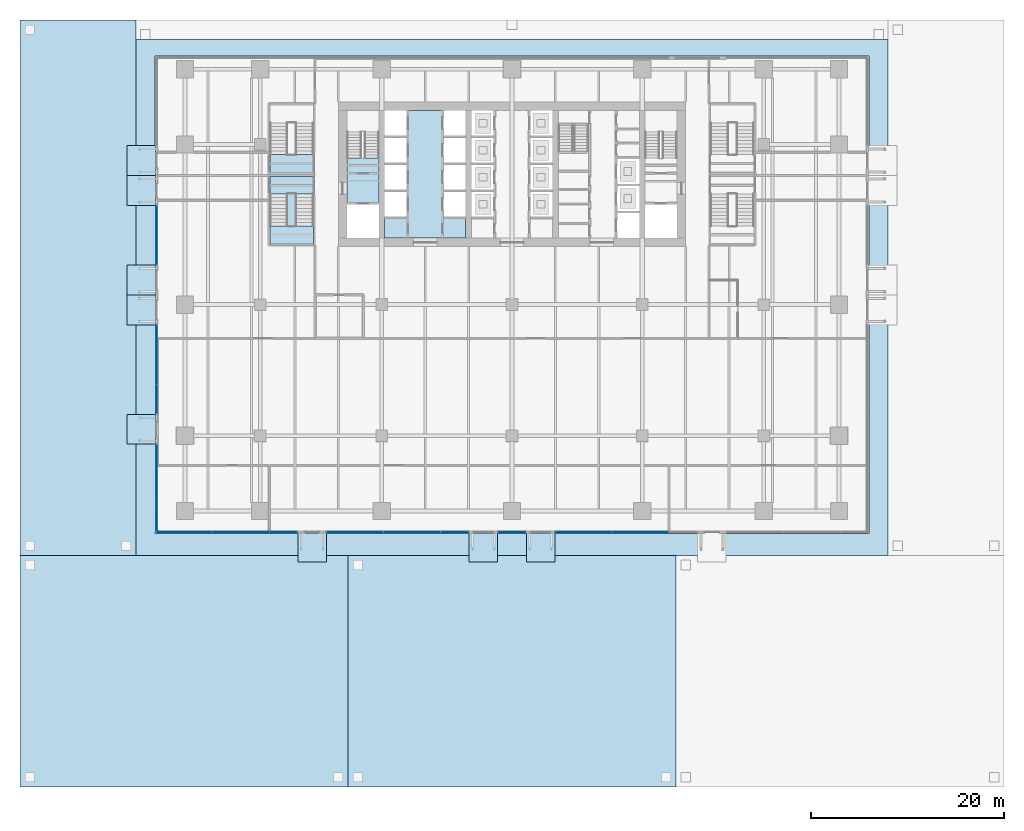
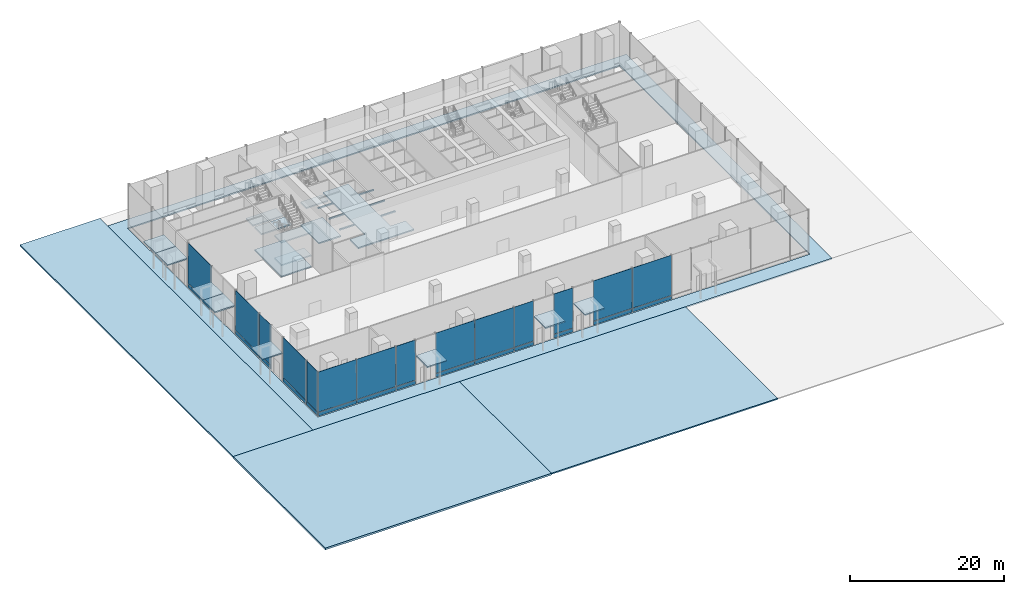
# One storey, part 26 of 41: 28 plates, 20 slabs, 10 elements without a shape of their own.
"""IFC4 building model written with IfcOpenShell, lengths in metres."""

from ifc_helpers import new_model, si_unit, direction, frame, origin, origin_2d, place, context, subcontext, project, spatial, polyline, rectangle, outline, extrude, material, layer, layer_set, type_object, element, aggregate, save


model = new_model("IFC4")

# Units and contexts
model_context = context("Model", 3, precision=1e-05, world=origin(), true_north=direction((0.0, 1.0)))
body_context = subcontext(model_context, "Body", "Model", "MODEL_VIEW")
ifc_project = project(units=[si_unit("LENGTHUNIT", "METRE"), si_unit("AREAUNIT", "SQUARE_METRE"), si_unit("VOLUMEUNIT", "CUBIC_METRE"), si_unit("PLANEANGLEUNIT", "RADIAN"), si_unit("MASSUNIT", "GRAM", prefix="KILO")], contexts=[model_context])

# Site, building, storey
site_placement = place(None, origin())
site = spatial("IfcSite", under=ifc_project, at=site_placement, CompositionType="ELEMENT")
building_placement = place(site_placement, origin())
building = spatial("IfcBuilding", under=site, at=building_placement, Name="Rattan Terrace Tower", CompositionType="ELEMENT")
storey_placement = place(building_placement, origin())
storey = spatial("IfcBuildingStorey", under=building, at=storey_placement, Name="L00", CompositionType="ELEMENT", Elevation=0.0)

# Stair, slab
ifc_material_1 = material(Name="Concrete C40/50", Category="concrete")
stair_type_1 = type_object("IfcStairType", Name="Core exit stair 1500", PredefinedType="HALF_TURN_STAIR", material=ifc_material_1)
stair_1_placement = place(storey_placement, origin())
stair_1 = element("IfcStair", 1, at=stair_1_placement, inside=storey, type_object=stair_type_1, Name="L00 exit stair 1", PredefinedType="HALF_TURN_STAIR")
ifc_material_2 = material(Name="Concrete C40/50", Category="concrete")
ifc_layer_1 = layer(ifc_material_2, 0.199951171875)
ifc_layer_set_1 = layer_set([ifc_layer_1], Name="Core exit stair landing")
slab_type_1 = type_object("IfcSlabType", Name="Core exit stair landing", PredefinedType="LANDING", material=ifc_layer_set_1)
slab_1_placement = place(storey_placement, frame((0.0, 0.0, 3.39990234375)))
slab_1 = element("IfcSlab", 2, at=slab_1_placement, type_object=slab_type_1, Name="S1 landing 2", PredefinedType="LANDING", context=body_context, shape_type="SweptSolid", body=[
    extrude(outline(polyline([(-13.800048828125, 0.199951171875), (-13.800048828125, 1.699951171875), (-17.10009765625, 1.699951171875), (-17.10009765625, 0.199951171875), (-13.800048828125, 0.199951171875)])), origin(), (0.0, 0.0, 1.0), 0.2001953125),
])
aggregate(stair_1, [slab_1])

# Stair, slabs
ifc_material_3 = material(Name="Concrete C40/50", Category="concrete")
stair_type_2 = type_object("IfcStairType", Name="Core exit stair 1850", PredefinedType="HALF_TURN_STAIR", material=ifc_material_3)
stair_2_placement = place(storey_placement, origin())
stair_2 = element("IfcStair", 3, at=stair_2_placement, inside=storey, type_object=stair_type_2, Name="L00 exit stair 4", PredefinedType="HALF_TURN_STAIR")
slab_2_placement = place(storey_placement, frame((0.0, 0.0, 1.60009765625)))
slab_2 = element("IfcSlab", 4, at=slab_2_placement, type_object=slab_type_1, Name="S4 landing 1", PredefinedType="LANDING", context=body_context, shape_type="SweptSolid", body=[
    extrude(outline(polyline([(-25.10009765625, -5.343994140625), (-25.10009765625, -7.199951171875), (-20.60009765625, -7.199951171875), (-20.60009765625, -5.343994140625), (-25.10009765625, -5.343994140625)])), origin(), (0.0, 0.0, 1.0), 0.199951171875),
])
slab_3_placement = place(storey_placement, frame((0.0, 0.0, 3.39990234375)))
slab_3 = element("IfcSlab", 5, at=slab_3_placement, type_object=slab_type_1, Name="S4 landing 2", PredefinedType="LANDING", context=body_context, shape_type="SweptSolid", body=[
    extrude(outline(polyline([(-25.10009765625, -0.199951171875), (-25.10009765625, -2.050048828125), (-20.60009765625, -2.050048828125), (-20.60009765625, -0.199951171875), (-25.10009765625, -0.199951171875)])), origin(), (0.0, 0.0, 1.0), 0.2001953125),
])
slab_4_placement = place(storey_placement, frame((0.0, 0.0, 5.199951171875)))
slab_4 = element("IfcSlab", 6, at=slab_4_placement, type_object=slab_type_1, Name="S4 landing 3", PredefinedType="LANDING", context=body_context, shape_type="SweptSolid", body=[
    extrude(outline(polyline([(-25.10009765625, -5.343994140625), (-25.10009765625, -7.199951171875), (-20.60009765625, -7.199951171875), (-20.60009765625, -5.343994140625), (-25.10009765625, -5.343994140625)])), origin(), (0.0, 0.0, 1.0), 0.199951171875),
])
aggregate(stair_2, [slab_2, slab_3, slab_4])

# Stair, slab
stair_3_placement = place(storey_placement, origin())
stair_3 = element("IfcStair", 7, at=stair_3_placement, inside=storey, type_object=stair_type_2, Name="L00 exit stair 5", PredefinedType="HALF_TURN_STAIR")
slab_5_placement = place(storey_placement, frame((0.0, 0.0, 3.39990234375)))
slab_5 = element("IfcSlab", 8, at=slab_5_placement, type_object=slab_type_1, Name="S5 landing 2", PredefinedType="LANDING", context=body_context, shape_type="SweptSolid", body=[
    extrude(outline(polyline([(-20.60009765625, 0.199951171875), (-20.60009765625, 2.050048828125), (-25.10009765625, 2.050048828125), (-25.10009765625, 0.199951171875), (-20.60009765625, 0.199951171875)])), origin(), (0.0, 0.0, 1.0), 0.2001953125),
])
aggregate(stair_3, [slab_5])

# Slabs
ifc_material_4 = material(Name="Concrete paving C32/40 on granular sub-base", Category="concrete")
ifc_layer_2 = layer(ifc_material_4, 0.300048828125)
ifc_layer_set_2 = layer_set([ifc_layer_2], Name="Drop-off Carriageway Paving")
slab_type_2 = type_object("IfcSlabType", Name="Drop-off Carriageway Paving", PredefinedType="USERDEFINED", material=ifc_layer_set_2)
slab_6_placement = place(storey_placement, frame((0.0, 0.0, -0.300048828125)))
element("IfcSlab", 9, at=slab_6_placement, inside=storey, type_object=slab_type_2, Name="Drop-off carriageway paving", ObjectType="PAVING", PredefinedType="USERDEFINED", context=body_context, shape_type="SweptSolid", body=[
    extrude(outline(polyline([(-17.0, -63.5), (-17.0, -39.5), (-51.0, -39.5), (-51.0, -63.5), (-17.0, -63.5)])), origin(), (0.0, 0.0, 1.0), 0.300048828125),
])
ifc_material_5 = material(Name="Steel S355 and glass canopy", Category="steel")
ifc_layer_3 = layer(ifc_material_5, 0.199951171875)
ifc_layer_set_3 = layer_set([ifc_layer_3], Name="Facade Entrance Canopy")
slab_type_3 = type_object("IfcSlabType", Name="Facade Entrance Canopy", PredefinedType="ROOF", material=ifc_layer_set_3)
slab_7_placement = place(storey_placement, frame((0.0, 0.0, 4.39990234375)))
element("IfcSlab", 10, at=slab_7_placement, inside=storey, type_object=slab_type_3, Name="Entrance canopy 031", PredefinedType="ROOF", context=body_context, shape_type="SweptSolid", body=[
    extrude(outline(polyline([(-36.929931640625, -9.407958984375), (-36.929931640625, -12.501953125), (-39.929931640625, -12.501953125), (-39.929931640625, -9.407958984375), (-36.929931640625, -9.407958984375)])), origin(), (0.0, 0.0, 1.0), 0.2001953125),
])
slab_8_placement = place(storey_placement, frame((0.0, 0.0, 4.39990234375)))
element("IfcSlab", 11, at=slab_8_placement, inside=storey, type_object=slab_type_3, Name="Entrance canopy 036", PredefinedType="ROOF", context=body_context, shape_type="SweptSolid", body=[
    extrude(outline(polyline([(-36.929931640625, -12.501953125), (-36.929931640625, -15.595947265625), (-39.929931640625, -15.595947265625), (-39.929931640625, -12.501953125), (-36.929931640625, -12.501953125)])), origin(), (0.0, 0.0, 1.0), 0.2001953125),
])
slab_9_placement = place(storey_placement, frame((0.0, 0.0, 4.39990234375)))
element("IfcSlab", 12, at=slab_9_placement, inside=storey, type_object=slab_type_3, Name="Entrance canopy 051", PredefinedType="ROOF", context=body_context, shape_type="SweptSolid", body=[
    extrude(outline(polyline([(-4.43994140625, -37.179931640625), (-1.47998046875, -37.179931640625), (-1.47998046875, -40.179931640625), (-4.43994140625, -40.179931640625), (-4.43994140625, -37.179931640625)])), origin(), (0.0, 0.0, 1.0), 0.2001953125),
])
slab_10_placement = place(storey_placement, frame((0.0, 0.0, 4.39990234375)))
element("IfcSlab", 13, at=slab_10_placement, inside=storey, type_object=slab_type_3, Name="Entrance canopy 056", PredefinedType="ROOF", context=body_context, shape_type="SweptSolid", body=[
    extrude(outline(polyline([(1.47998046875, -37.179931640625), (4.43994140625, -37.179931640625), (4.43994140625, -40.179931640625), (1.47998046875, -40.179931640625), (1.47998046875, -37.179931640625)])), origin(), (0.0, 0.0, 1.0), 0.2001953125),
])
ifc_material_6 = material(Name="Steel S355 and glass canopy", Category="steel")
ifc_layer_4 = layer(ifc_material_6, 0.179931640625)
ifc_layer_set_4 = layer_set([ifc_layer_4], Name="Facade Exit Canopy")
slab_type_4 = type_object("IfcSlabType", Name="Facade Exit Canopy", PredefinedType="ROOF", material=ifc_layer_set_4)
slab_11_placement = place(storey_placement, frame((0.0, 0.0, 4.39990234375)))
element("IfcSlab", 14, at=slab_11_placement, inside=storey, type_object=slab_type_4, Name="Entrance canopy 021", PredefinedType="ROOF", context=body_context, shape_type="SweptSolid", body=[
    extrude(outline(polyline([(-36.929931640625, 2.968017578125), (-36.929931640625, -0.1259765625), (-39.929931640625, -0.1259765625), (-39.929931640625, 2.968017578125), (-36.929931640625, 2.968017578125)])), origin(), (0.0, 0.0, 1.0), 0.18017578125),
])
slab_12_placement = place(storey_placement, frame((0.0, 0.0, 4.39990234375)))
element("IfcSlab", 15, at=slab_12_placement, inside=storey, type_object=slab_type_4, Name="Entrance canopy 026", PredefinedType="ROOF", context=body_context, shape_type="SweptSolid", body=[
    extrude(outline(polyline([(-36.929931640625, -0.1259765625), (-36.929931640625, -3.219970703125), (-39.929931640625, -3.219970703125), (-39.929931640625, -0.1259765625), (-36.929931640625, -0.1259765625)])), origin(), (0.0, 0.0, 1.0), 0.18017578125),
])
slab_13_placement = place(storey_placement, frame((0.0, 0.0, 4.39990234375)))
element("IfcSlab", 16, at=slab_13_placement, inside=storey, type_object=slab_type_4, Name="Entrance canopy 041", PredefinedType="ROOF", context=body_context, shape_type="SweptSolid", body=[
    extrude(outline(polyline([(-36.929931640625, -24.8779296875), (-36.929931640625, -27.971923828125), (-39.929931640625, -27.971923828125), (-39.929931640625, -24.8779296875), (-36.929931640625, -24.8779296875)])), origin(), (0.0, 0.0, 1.0), 0.18017578125),
])
slab_14_placement = place(storey_placement, frame((0.0, 0.0, 4.39990234375)))
element("IfcSlab", 17, at=slab_14_placement, inside=storey, type_object=slab_type_4, Name="Entrance canopy 046", PredefinedType="ROOF", context=body_context, shape_type="SweptSolid", body=[
    extrude(outline(polyline([(-22.199951171875, -37.179931640625), (-19.239990234375, -37.179931640625), (-19.239990234375, -40.179931640625), (-22.199951171875, -40.179931640625), (-22.199951171875, -37.179931640625)])), origin(), (0.0, 0.0, 1.0), 0.18017578125),
])
ifc_material_7 = material(Name="Granite paving on concrete C30/37 bed", Category="masonry")
ifc_layer_5 = layer(ifc_material_7, 0.199951171875)
ifc_layer_set_5 = layer_set([ifc_layer_5], Name="Facade Plaza Paving")
slab_type_5 = type_object("IfcSlabType", Name="Facade Plaza Paving", PredefinedType="USERDEFINED", material=ifc_layer_set_5)
slab_15_placement = place(storey_placement, frame((0.0, 0.0, -0.199951171875)))
element("IfcSlab", 18, at=slab_15_placement, inside=storey, type_object=slab_type_5, Name="Plaza forecourt paving", ObjectType="PAVING", PredefinedType="USERDEFINED", context=body_context, shape_type="SweptSolid", body=[
    extrude(outline(polyline([(17.0, -63.5), (17.0, -39.5), (-17.0, -39.5), (-17.0, -63.5), (17.0, -63.5)])), origin(), (0.0, 0.0, 1.0), 0.199951171875),
])
ifc_material_8 = material(Name="Concrete C35/45", Category="concrete")
ifc_layer_6 = layer(ifc_material_8, 0.199951171875)
ifc_layer_set_6 = layer_set([ifc_layer_6], Name="Frame composite floor slab 200")
slab_type_6 = type_object("IfcSlabType", Name="Frame composite floor slab 200", PredefinedType="FLOOR", material=ifc_layer_set_6)
slab_16_placement = place(storey_placement, frame((0.0, 0.0, -0.199951171875)))
element("IfcSlab", 19, at=slab_16_placement, inside=storey, type_object=slab_type_6, Name="Floor slab", PredefinedType="FLOOR", context=body_context, shape_type="SweptSolid", body=[
    extrude(outline(polyline([(-20.60009765625, -0.199951171875), (-25.10009765625, -0.199951171875), (-25.10009765625, -7.199951171875), (-20.60009765625, -7.199951171875), (-20.60009765625, -0.199951171875)])), origin(), (0.0, 0.0, 1.0), 0.199951171875),
])
slab_17_placement = place(storey_placement, frame((0.0, 0.0, -0.199951171875)))
element("IfcSlab", 20, at=slab_17_placement, inside=storey, type_object=slab_type_6, Name="Floor slab", PredefinedType="FLOOR", context=body_context, shape_type="SweptSolid", body=[
    extrude(outline(polyline([(-13.199951171875, 4.0), (-13.199951171875, 3.800048828125), (-10.89990234375, 3.800048828125), (-10.89990234375, 1.199951171875), (-13.199951171875, 1.199951171875), (-13.199951171875, 1.0), (-10.89990234375, 1.0), (-10.89990234375, -1.60009765625), (-13.199951171875, -1.60009765625), (-13.199951171875, -1.800048828125), (-10.89990234375, -1.800048828125), (-10.89990234375, -4.39990234375), (-13.199951171875, -4.39990234375), (-13.199951171875, -6.60009765625), (-4.800048828125, -6.60009765625), (-4.800048828125, -4.39990234375), (-7.10009765625, -4.39990234375), (-7.10009765625, -1.800048828125), (-4.800048828125, -1.800048828125), (-4.800048828125, -1.60009765625), (-7.10009765625, -1.60009765625), (-7.10009765625, 1.0), (-4.800048828125, 1.0), (-4.800048828125, 1.199951171875), (-7.10009765625, 1.199951171875), (-7.10009765625, 3.800048828125), (-4.800048828125, 3.800048828125), (-4.800048828125, 4.0), (-7.10009765625, 4.0), (-7.10009765625, 6.60009765625), (-10.89990234375, 6.60009765625), (-10.89990234375, 4.0), (-13.199951171875, 4.0)])), origin(), (0.0, 0.0, 1.0), 0.199951171875),
])
slab_18_placement = place(storey_placement, frame((0.0, 0.0, -0.199951171875)))
element("IfcSlab", 21, at=slab_18_placement, inside=storey, type_object=slab_type_6, Name="Floor slab", PredefinedType="FLOOR", context=body_context, shape_type="SweptSolid", body=[
    extrude(outline(polyline([(-17.10009765625, -3.10009765625), (-13.800048828125, -3.10009765625), (-13.800048828125, 1.7099609375), (-17.10009765625, 1.7099609375), (-17.10009765625, -3.10009765625)])), origin(), (0.0, 0.0, 1.0), 0.199951171875),
])
ifc_material_9 = material(Name="Concrete C35/45", Category="concrete")
ifc_layer_7 = layer(ifc_material_9, 0.199951171875)
ifc_layer_set_7 = layer_set([ifc_layer_7], Name="Frame plaza deck slab 200")
slab_type_7 = type_object("IfcSlabType", Name="Frame plaza deck slab 200", PredefinedType="ROOF", material=ifc_layer_set_7)
slab_19_placement = place(storey_placement, frame((0.0, 0.0, -0.199951171875)))
element("IfcSlab", 22, at=slab_19_placement, inside=storey, type_object=slab_type_7, Name="Plaza deck slab", PredefinedType="ROOF", context=body_context, shape_type="SweptSolid", body=[
    extrude(outline(polyline([(-39.0, -39.5), (39.0, -39.5), (39.0, 14.0), (-39.0, 14.0), (-39.0, -39.5)]), holes=[polyline([(37.0, 12.25), (-37.0, 12.25), (-37.0, -37.25), (37.0, -37.25), (37.0, 12.25)])]), origin(), (0.0, 0.0, 1.0), 0.199951171875),
])
ifc_material_10 = material(Name="Granite setts on concrete C30/37 bed", Category="masonry")
ifc_layer_8 = layer(ifc_material_10, 0.239990234375)
ifc_layer_set_8 = layer_set([ifc_layer_8], Name="Station Entrance Setts")
slab_type_8 = type_object("IfcSlabType", Name="Station Entrance Setts", PredefinedType="USERDEFINED", material=ifc_layer_set_8)
slab_20_placement = place(storey_placement, frame((0.0, 0.0, -0.239990234375)))
element("IfcSlab", 23, at=slab_20_placement, inside=storey, type_object=slab_type_8, Name="Station entrance setts, west", ObjectType="PAVING", PredefinedType="USERDEFINED", context=body_context, shape_type="SweptSolid", body=[
    extrude(outline(polyline([(-39.0, -39.5), (-39.0, 16.0), (-51.0, 16.0), (-51.0, -39.5), (-39.0, -39.5)])), origin(), (0.0, 0.0, 1.0), 0.239990234375),
])

# Curtain wall, plate
ifc_material_11 = material(Name="Aluminium and glass", Category="aluminium")
ifc_layer_9 = layer(ifc_material_11, 0.1201171875)
ifc_layer_set_9 = layer_set([ifc_layer_9], Name="Station Storefront Curtain Wall")
curtain_wall_type = type_object("IfcCurtainWallType", Name="Station Storefront Curtain Wall", PredefinedType="NOTDEFINED", material=ifc_layer_set_9)
curtain_wall_1_placement = place(storey_placement, origin())
curtain_wall_1 = element("IfcCurtainWall", 24, at=curtain_wall_1_placement, inside=storey, type_object=curtain_wall_type, Name="Storefront curtain wall L00-7", PredefinedType="NOTDEFINED")
ifc_material_12 = material(Name="Granite bulkhead panel", Category="masonry")
ifc_layer_10 = layer(ifc_material_12, 0.110107421875)
ifc_layer_set_10 = layer_set([ifc_layer_10], Name="Storefront CW Stone Bulkhead Panel")
plate_type_1 = type_object("IfcPlateType", Name="Storefront CW Stone Bulkhead Panel", PredefinedType="CURTAIN_PANEL", material=ifc_layer_set_10)
plate_1_placement = place(storey_placement, frame((-36.830078125, -6.31396484375, 0.0), z_axis=(0.0, 0.0, 1.0), x_axis=(0.0, -1.0, 0.0)))
plate_1 = element("IfcPlate", 25, at=plate_1_placement, type_object=plate_type_1, Name="Panel cwl-L00-007.1.1", PredefinedType="CURTAIN_PANEL", context=body_context, shape_type="SweptSolid", body=[
    extrude(rectangle(XDim=6.087890625, YDim=0.110107421875, at=origin_2d()), origin(), (0.0, 0.0, 1.0), 0.574951171875),
])

# Curtain wall, plates
curtain_wall_2_placement = place(storey_placement, origin())
curtain_wall_2 = element("IfcCurtainWall", 26, at=curtain_wall_2_placement, inside=storey, type_object=curtain_wall_type, Name="Storefront curtain wall L00-8", PredefinedType="NOTDEFINED")
plate_2_placement = place(storey_placement, frame((-36.830078125, -18.702392578125, 0.0), z_axis=(0.0, 0.0, 1.0), x_axis=(0.0, -1.0, 0.0)))
plate_2 = element("IfcPlate", 27, at=plate_2_placement, type_object=plate_type_1, Name="Panel cwl-L00-008.1.1", PredefinedType="CURTAIN_PANEL", context=body_context, shape_type="SweptSolid", body=[
    extrude(rectangle(XDim=6.113037109375, YDim=0.110107421875, at=origin_2d()), origin(), (0.0, 0.0, 1.0), 0.574951171875),
])
plate_3_placement = place(storey_placement, frame((-36.830078125, -23.318603515625, 0.0), z_axis=(0.0, 0.0, 1.0), x_axis=(0.0, -1.0, 0.0)))
plate_3 = element("IfcPlate", 28, at=plate_3_placement, type_object=plate_type_1, Name="Panel cwl-L00-008.2.1", PredefinedType="CURTAIN_PANEL", context=body_context, shape_type="SweptSolid", body=[
    extrude(rectangle(XDim=3.01904296875, YDim=0.110107421875, at=origin_2d()), origin(), (0.0, 0.0, 1.0), 0.574951171875),
])

curtain_wall_3_placement = place(storey_placement, origin())
curtain_wall_3 = element("IfcCurtainWall", 29, at=curtain_wall_3_placement, inside=storey, type_object=curtain_wall_type, Name="Storefront curtain wall L00-9", PredefinedType="NOTDEFINED")
plate_4_placement = place(storey_placement, frame((-36.830078125, -31.07861328125, 0.0), z_axis=(0.0, 0.0, 1.0), x_axis=(0.0, -1.0, 0.0)))
plate_4 = element("IfcPlate", 30, at=plate_4_placement, type_object=plate_type_1, Name="Panel cwl-L00-009.1.1", PredefinedType="CURTAIN_PANEL", context=body_context, shape_type="SweptSolid", body=[
    extrude(rectangle(XDim=6.113037109375, YDim=0.110107421875, at=origin_2d()), origin(), (0.0, 0.0, 1.0), 0.574951171875),
])
plate_5_placement = place(storey_placement, frame((-36.830078125, -35.6025390625, 0.0), z_axis=(0.0, 0.0, 1.0), x_axis=(0.0, -1.0, 0.0)))
plate_5 = element("IfcPlate", 31, at=plate_5_placement, type_object=plate_type_1, Name="Panel cwl-L00-009.2.1", PredefinedType="CURTAIN_PANEL", context=body_context, shape_type="SweptSolid", body=[
    extrude(rectangle(XDim=2.8349609375, YDim=0.110107421875, at=origin_2d()), origin(), (0.0, 0.0, 1.0), 0.574951171875),
])

curtain_wall_4_placement = place(storey_placement, origin())
curtain_wall_4 = element("IfcCurtainWall", 32, at=curtain_wall_4_placement, inside=storey, type_object=curtain_wall_type, Name="Storefront curtain wall L00-10", PredefinedType="NOTDEFINED")
plate_6_placement = place(storey_placement, frame((-33.972412109375, -37.080078125, 0.0), z_axis=(0.0, 0.0, 1.0), x_axis=(1.0, 0.0, 0.0)))
plate_6 = element("IfcPlate", 33, at=plate_6_placement, type_object=plate_type_1, Name="Panel cwl-L00-010.1.1", PredefinedType="CURTAIN_PANEL", context=body_context, shape_type="SweptSolid", body=[
    extrude(rectangle(XDim=5.735107421875, YDim=0.110107421875, at=origin_2d()), origin(), (0.0, 0.0, 1.0), 0.574951171875),
])
plate_7_placement = place(storey_placement, frame((-28.1201171875, -37.080078125, 0.0), z_axis=(0.0, 0.0, 1.0), x_axis=(1.0, 0.0, 0.0)))
plate_7 = element("IfcPlate", 34, at=plate_7_placement, type_object=plate_type_1, Name="Panel cwl-L00-010.2.1", PredefinedType="CURTAIN_PANEL", context=body_context, shape_type="SweptSolid", body=[
    extrude(rectangle(XDim=5.8701171875, YDim=0.110107421875, at=origin_2d()), origin(), (0.0, 0.0, 1.0), 0.574951171875),
])
plate_8_placement = place(storey_placement, frame((-23.6923828125, -37.080078125, 0.0), z_axis=(0.0, 0.0, 1.0), x_axis=(1.0, 0.0, 0.0)))
plate_8 = element("IfcPlate", 35, at=plate_8_placement, type_object=plate_type_1, Name="Panel cwl-L00-010.3.1", PredefinedType="CURTAIN_PANEL", context=body_context, shape_type="SweptSolid", body=[
    extrude(rectangle(XDim=2.885009765625, YDim=0.110107421875, at=origin_2d()), origin(), (0.0, 0.0, 1.0), 0.574951171875),
])

curtain_wall_5_placement = place(storey_placement, origin())
curtain_wall_5 = element("IfcCurtainWall", 36, at=curtain_wall_5_placement, inside=storey, type_object=curtain_wall_type, Name="Storefront curtain wall L00-11", PredefinedType="NOTDEFINED")
plate_9_placement = place(storey_placement, frame((-16.267578125, -37.080078125, 0.0), z_axis=(0.0, 0.0, 1.0), x_axis=(1.0, 0.0, 0.0)))
plate_9 = element("IfcPlate", 37, at=plate_9_placement, type_object=plate_type_1, Name="Panel cwl-L00-011.1.1", PredefinedType="CURTAIN_PANEL", context=body_context, shape_type="SweptSolid", body=[
    extrude(rectangle(XDim=5.844970703125, YDim=0.110107421875, at=origin_2d()), origin(), (0.0, 0.0, 1.0), 0.574951171875),
])
plate_10_placement = place(storey_placement, frame((-10.360107421875, -37.080078125, 0.0), z_axis=(0.0, 0.0, 1.0), x_axis=(1.0, 0.0, 0.0)))
plate_10 = element("IfcPlate", 38, at=plate_10_placement, type_object=plate_type_1, Name="Panel cwl-L00-011.2.1", PredefinedType="CURTAIN_PANEL", context=body_context, shape_type="SweptSolid", body=[
    extrude(rectangle(XDim=5.8701171875, YDim=0.110107421875, at=origin_2d()), origin(), (0.0, 0.0, 1.0), 0.574951171875),
])
plate_11_placement = place(storey_placement, frame((-5.9326171875, -37.080078125, 0.0), z_axis=(0.0, 0.0, 1.0), x_axis=(1.0, 0.0, 0.0)))
plate_11 = element("IfcPlate", 39, at=plate_11_placement, type_object=plate_type_1, Name="Panel cwl-L00-011.3.1", PredefinedType="CURTAIN_PANEL", context=body_context, shape_type="SweptSolid", body=[
    extrude(rectangle(XDim=2.885009765625, YDim=0.110107421875, at=origin_2d()), origin(), (0.0, 0.0, 1.0), 0.574951171875),
])

# Curtain wall, plate
curtain_wall_6_placement = place(storey_placement, origin())
curtain_wall_6 = element("IfcCurtainWall", 40, at=curtain_wall_6_placement, inside=storey, type_object=curtain_wall_type, Name="Storefront curtain wall L00-12", PredefinedType="NOTDEFINED")
plate_12_placement = place(storey_placement, frame((0.0, -37.080078125, 0.0), z_axis=(0.0, 0.0, 1.0), x_axis=(1.0, 0.0, 0.0)))
plate_12 = element("IfcPlate", 41, at=plate_12_placement, type_object=plate_type_1, Name="Panel cwl-L00-012.1.1", PredefinedType="CURTAIN_PANEL", context=body_context, shape_type="SweptSolid", body=[
    extrude(rectangle(XDim=2.860107421875, YDim=0.110107421875, at=origin_2d()), origin(), (0.0, 0.0, 1.0), 0.574951171875),
])

# Curtain wall, plates
curtain_wall_7_placement = place(storey_placement, origin())
curtain_wall_7 = element("IfcCurtainWall", 42, at=curtain_wall_7_placement, inside=storey, type_object=curtain_wall_type, Name="Storefront curtain wall L00-13", PredefinedType="NOTDEFINED")
plate_13_placement = place(storey_placement, frame((7.41259765625, -37.080078125, 0.0), z_axis=(0.0, 0.0, 1.0), x_axis=(1.0, 0.0, 0.0)))
plate_13 = element("IfcPlate", 43, at=plate_13_placement, type_object=plate_type_1, Name="Panel cwl-L00-013.1.1", PredefinedType="CURTAIN_PANEL", context=body_context, shape_type="SweptSolid", body=[
    extrude(rectangle(XDim=5.844970703125, YDim=0.110107421875, at=origin_2d()), origin(), (0.0, 0.0, 1.0), 0.574951171875),
])
plate_14_placement = place(storey_placement, frame((13.320068359375, -37.080078125, 0.0), z_axis=(0.0, 0.0, 1.0), x_axis=(1.0, 0.0, 0.0)))
plate_14 = element("IfcPlate", 44, at=plate_14_placement, type_object=plate_type_1, Name="Panel cwl-L00-013.2.1", PredefinedType="CURTAIN_PANEL", context=body_context, shape_type="SweptSolid", body=[
    extrude(rectangle(XDim=5.8701171875, YDim=0.110107421875, at=origin_2d()), origin(), (0.0, 0.0, 1.0), 0.574951171875),
])

# Plate
ifc_material_13 = material(Name="Clear toughened glass", Category="glass")
ifc_layer_11 = layer(ifc_material_13, 0.0439453125)
ifc_layer_set_11 = layer_set([ifc_layer_11], Name="Storefront CW Vision Panel")
plate_type_2 = type_object("IfcPlateType", Name="Storefront CW Vision Panel", PredefinedType="CURTAIN_PANEL", material=ifc_layer_set_11)
plate_15_placement = place(storey_placement, frame((-36.830078125, -6.31396484375, 0.625), z_axis=(0.0, 0.0, 1.0), x_axis=(0.0, -1.0, 0.0)))
plate_15 = element("IfcPlate", 45, at=plate_15_placement, type_object=plate_type_2, Name="Panel cwl-L00-007.1.2", PredefinedType="CURTAIN_PANEL", context=body_context, shape_type="SweptSolid", body=[
    extrude(rectangle(XDim=6.087890625, YDim=0.0439453125, at=origin_2d()), origin(), (0.0, 0.0, 1.0), 6.375),
])

aggregate(curtain_wall_1, [plate_1, plate_15])

plate_16_placement = place(storey_placement, frame((-36.830078125, -18.702392578125, 0.625), z_axis=(0.0, 0.0, 1.0), x_axis=(0.0, -1.0, 0.0)))
plate_16 = element("IfcPlate", 46, at=plate_16_placement, type_object=plate_type_2, Name="Panel cwl-L00-008.1.2", PredefinedType="CURTAIN_PANEL", context=body_context, shape_type="SweptSolid", body=[
    extrude(rectangle(XDim=6.113037109375, YDim=0.0439453125, at=origin_2d()), origin(), (0.0, 0.0, 1.0), 6.375),
])

plate_17_placement = place(storey_placement, frame((-36.830078125, -23.318603515625, 0.625), z_axis=(0.0, 0.0, 1.0), x_axis=(0.0, -1.0, 0.0)))
plate_17 = element("IfcPlate", 47, at=plate_17_placement, type_object=plate_type_2, Name="Panel cwl-L00-008.2.2", PredefinedType="CURTAIN_PANEL", context=body_context, shape_type="SweptSolid", body=[
    extrude(rectangle(XDim=3.01904296875, YDim=0.0439453125, at=origin_2d()), origin(), (0.0, 0.0, 1.0), 6.375),
])

aggregate(curtain_wall_2, [plate_2, plate_16, plate_3, plate_17])

plate_18_placement = place(storey_placement, frame((-36.830078125, -31.07861328125, 0.625), z_axis=(0.0, 0.0, 1.0), x_axis=(0.0, -1.0, 0.0)))
plate_18 = element("IfcPlate", 48, at=plate_18_placement, type_object=plate_type_2, Name="Panel cwl-L00-009.1.2", PredefinedType="CURTAIN_PANEL", context=body_context, shape_type="SweptSolid", body=[
    extrude(rectangle(XDim=6.113037109375, YDim=0.0439453125, at=origin_2d()), origin(), (0.0, 0.0, 1.0), 6.375),
])

plate_19_placement = place(storey_placement, frame((-36.830078125, -35.6025390625, 0.625), z_axis=(0.0, 0.0, 1.0), x_axis=(0.0, -1.0, 0.0)))
plate_19 = element("IfcPlate", 49, at=plate_19_placement, type_object=plate_type_2, Name="Panel cwl-L00-009.2.2", PredefinedType="CURTAIN_PANEL", context=body_context, shape_type="SweptSolid", body=[
    extrude(rectangle(XDim=2.8349609375, YDim=0.0439453125, at=origin_2d()), origin(), (0.0, 0.0, 1.0), 6.375),
])

aggregate(curtain_wall_3, [plate_4, plate_18, plate_5, plate_19])

plate_20_placement = place(storey_placement, frame((-33.972412109375, -37.080078125, 0.625), z_axis=(0.0, 0.0, 1.0), x_axis=(1.0, 0.0, 0.0)))
plate_20 = element("IfcPlate", 50, at=plate_20_placement, type_object=plate_type_2, Name="Panel cwl-L00-010.1.2", PredefinedType="CURTAIN_PANEL", context=body_context, shape_type="SweptSolid", body=[
    extrude(rectangle(XDim=5.735107421875, YDim=0.0439453125, at=origin_2d()), origin(), (0.0, 0.0, 1.0), 6.375),
])

plate_21_placement = place(storey_placement, frame((-28.1201171875, -37.080078125, 0.625), z_axis=(0.0, 0.0, 1.0), x_axis=(1.0, 0.0, 0.0)))
plate_21 = element("IfcPlate", 51, at=plate_21_placement, type_object=plate_type_2, Name="Panel cwl-L00-010.2.2", PredefinedType="CURTAIN_PANEL", context=body_context, shape_type="SweptSolid", body=[
    extrude(rectangle(XDim=5.8701171875, YDim=0.0439453125, at=origin_2d()), origin(), (0.0, 0.0, 1.0), 6.375),
])

plate_22_placement = place(storey_placement, frame((-23.6923828125, -37.080078125, 0.625), z_axis=(0.0, 0.0, 1.0), x_axis=(1.0, 0.0, 0.0)))
plate_22 = element("IfcPlate", 52, at=plate_22_placement, type_object=plate_type_2, Name="Panel cwl-L00-010.3.2", PredefinedType="CURTAIN_PANEL", context=body_context, shape_type="SweptSolid", body=[
    extrude(rectangle(XDim=2.885009765625, YDim=0.0439453125, at=origin_2d()), origin(), (0.0, 0.0, 1.0), 6.375),
])

aggregate(curtain_wall_4, [plate_6, plate_20, plate_7, plate_21, plate_8, plate_22])

plate_23_placement = place(storey_placement, frame((-16.267578125, -37.080078125, 0.625), z_axis=(0.0, 0.0, 1.0), x_axis=(1.0, 0.0, 0.0)))
plate_23 = element("IfcPlate", 53, at=plate_23_placement, type_object=plate_type_2, Name="Panel cwl-L00-011.1.2", PredefinedType="CURTAIN_PANEL", context=body_context, shape_type="SweptSolid", body=[
    extrude(rectangle(XDim=5.844970703125, YDim=0.0439453125, at=origin_2d()), origin(), (0.0, 0.0, 1.0), 6.375),
])

plate_24_placement = place(storey_placement, frame((-10.360107421875, -37.080078125, 0.625), z_axis=(0.0, 0.0, 1.0), x_axis=(1.0, 0.0, 0.0)))
plate_24 = element("IfcPlate", 54, at=plate_24_placement, type_object=plate_type_2, Name="Panel cwl-L00-011.2.2", PredefinedType="CURTAIN_PANEL", context=body_context, shape_type="SweptSolid", body=[
    extrude(rectangle(XDim=5.8701171875, YDim=0.0439453125, at=origin_2d()), origin(), (0.0, 0.0, 1.0), 6.375),
])

plate_25_placement = place(storey_placement, frame((-5.9326171875, -37.080078125, 0.625), z_axis=(0.0, 0.0, 1.0), x_axis=(1.0, 0.0, 0.0)))
plate_25 = element("IfcPlate", 55, at=plate_25_placement, type_object=plate_type_2, Name="Panel cwl-L00-011.3.2", PredefinedType="CURTAIN_PANEL", context=body_context, shape_type="SweptSolid", body=[
    extrude(rectangle(XDim=2.885009765625, YDim=0.0439453125, at=origin_2d()), origin(), (0.0, 0.0, 1.0), 6.375),
])

aggregate(curtain_wall_5, [plate_9, plate_23, plate_10, plate_24, plate_11, plate_25])

plate_26_placement = place(storey_placement, frame((0.0, -37.080078125, 0.625), z_axis=(0.0, 0.0, 1.0), x_axis=(1.0, 0.0, 0.0)))
plate_26 = element("IfcPlate", 56, at=plate_26_placement, type_object=plate_type_2, Name="Panel cwl-L00-012.1.2", PredefinedType="CURTAIN_PANEL", context=body_context, shape_type="SweptSolid", body=[
    extrude(rectangle(XDim=2.860107421875, YDim=0.0439453125, at=origin_2d()), origin(), (0.0, 0.0, 1.0), 6.375),
])

aggregate(curtain_wall_6, [plate_12, plate_26])

plate_27_placement = place(storey_placement, frame((7.41259765625, -37.080078125, 0.625), z_axis=(0.0, 0.0, 1.0), x_axis=(1.0, 0.0, 0.0)))
plate_27 = element("IfcPlate", 57, at=plate_27_placement, type_object=plate_type_2, Name="Panel cwl-L00-013.1.2", PredefinedType="CURTAIN_PANEL", context=body_context, shape_type="SweptSolid", body=[
    extrude(rectangle(XDim=5.844970703125, YDim=0.0439453125, at=origin_2d()), origin(), (0.0, 0.0, 1.0), 6.375),
])

plate_28_placement = place(storey_placement, frame((13.320068359375, -37.080078125, 0.625), z_axis=(0.0, 0.0, 1.0), x_axis=(1.0, 0.0, 0.0)))
plate_28 = element("IfcPlate", 58, at=plate_28_placement, type_object=plate_type_2, Name="Panel cwl-L00-013.2.2", PredefinedType="CURTAIN_PANEL", context=body_context, shape_type="SweptSolid", body=[
    extrude(rectangle(XDim=5.8701171875, YDim=0.0439453125, at=origin_2d()), origin(), (0.0, 0.0, 1.0), 6.375),
])

aggregate(curtain_wall_7, [plate_13, plate_27, plate_14, plate_28])

save(model, "model.ifc")
